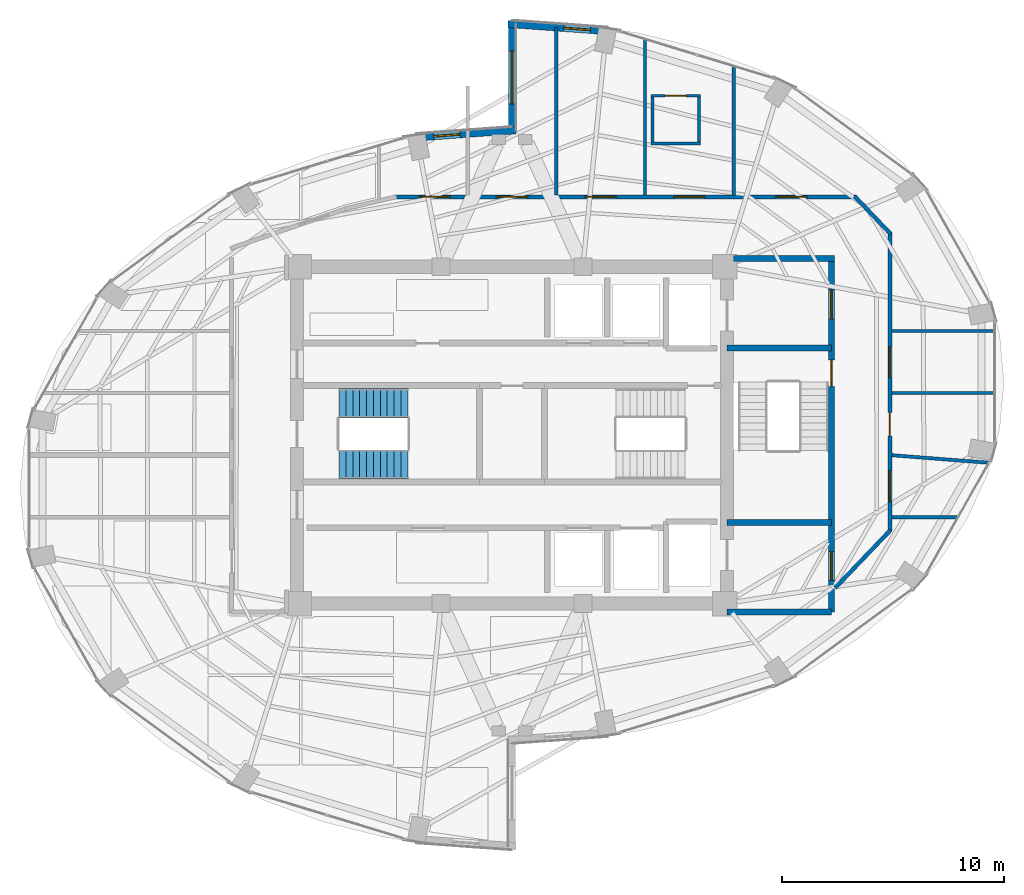
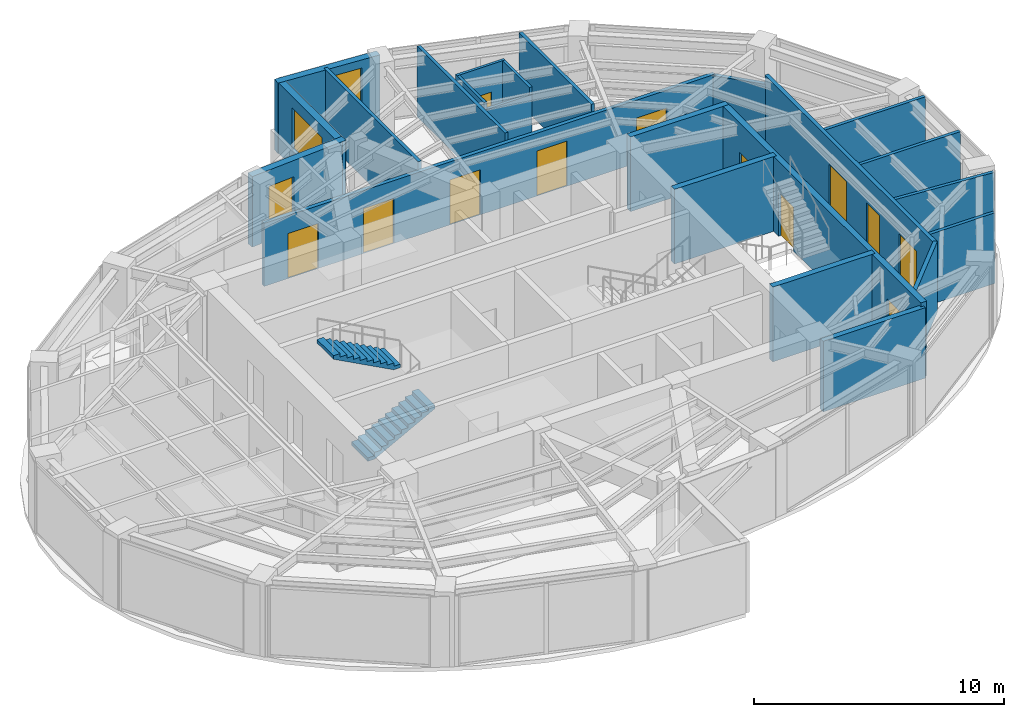
# One storey, part 20 of 23: 23 walls, 12 doors, 3 windows, 2 stair flights, 15 openings, 1 element without a shape of its own.
"""IFC4 building model written with IfcOpenShell, lengths in metres."""

from ifc_helpers import new_model, si_unit, direction, frame, frame_2d, origin, place, context, subcontext, project, spatial, polyline, rectangle, outline, extrude, material, layer, layer_set, type_object, element, fill, aggregate, save


model = new_model("IFC4")

# Units and contexts
model_context = context("Model", 3, precision=1e-05, world=origin(), true_north=direction((0.0, 1.0)))
body_context = subcontext(model_context, "Body", "Model", "MODEL_VIEW")
ifc_project = project(units=[si_unit("LENGTHUNIT", "METRE"), si_unit("AREAUNIT", "SQUARE_METRE"), si_unit("VOLUMEUNIT", "CUBIC_METRE"), si_unit("PLANEANGLEUNIT", "RADIAN"), si_unit("MASSUNIT", "GRAM", prefix="KILO")], contexts=[model_context])

# Site, building, storey
site_placement = place(None, origin())
site = spatial("IfcSite", under=ifc_project, at=site_placement, CompositionType="ELEMENT")
building_placement = place(site_placement, origin())
building = spatial("IfcBuilding", under=site, at=building_placement, Name="Lazwardi Medical Tower", CompositionType="ELEMENT")
storey_placement = place(building_placement, frame((0.0, 0.0, 198.47998046875)))
storey = spatial("IfcBuildingStorey", under=building, at=storey_placement, Name="L51", CompositionType="ELEMENT", Elevation=198.47998046875)

# Wall, openings, doors
ifc_material_1 = material(Name="Fire-rated gypsum board on steel stud", Category="steel")
ifc_layer_1 = layer(ifc_material_1, 0.179931640625)
ifc_layer_set_1 = layer_set([ifc_layer_1], Name="Fire-rated gypsum board on steel stud")
wall_type_1 = type_object("IfcWallType", Name="WL-COR-180", PredefinedType="PARTITIONING", material=ifc_layer_set_1)
wall_1_placement = place(storey_placement, frame((30.709716796875, 38.75, 0.0), z_axis=(0.0, 0.0, 1.0), x_axis=(1.0, 0.0, 0.0)))
wall_1 = element("IfcWall", 1, at=wall_1_placement, inside=storey, type_object=wall_type_1, Name="L51 Corridor partition 3", PredefinedType="PARTITIONING", context=body_context, shape_type="SweptSolid", body=[
    extrude(rectangle(XDim=20.8154296875, YDim=0.179931640625, at=frame_2d((10.40771484375, 0.0))), origin(), (0.0, 0.0, 1.0), 3.072998046875),
])
opening_1_placement = place(wall_1_placement, frame((17.19384765625, 0.0, 0.0)))
opening_1 = element("IfcOpeningElement", 2, at=opening_1_placement, cuts=wall_1, Name="Opening D-L51-014", PredefinedType="OPENING", context=body_context, shape_type="SweptSolid", body=[
    extrude(rectangle(XDim=1.39990234375, YDim=2.199951171875, at=frame_2d((0.699951171875, 1.10009765625))), frame((0.0, 0.099853515625, 0.0), z_axis=(0.0, -1.0, 0.0), x_axis=(1.0, 0.0, 0.0)), (0.0, 0.0, 1.0), 0.199951171875),
])
opening_2_placement = place(wall_1_placement, frame((12.590087890625, 0.0, 0.0)))
opening_2 = element("IfcOpeningElement", 3, at=opening_2_placement, cuts=wall_1, Name="Opening D-L51-015", PredefinedType="OPENING", context=body_context, shape_type="SweptSolid", body=[
    extrude(rectangle(XDim=1.39990234375, YDim=2.199951171875, at=frame_2d((0.699951171875, 1.10009765625))), frame((0.0, 0.099853515625, 0.0), z_axis=(0.0, -1.0, 0.0), x_axis=(1.0, 0.0, 0.0)), (0.0, 0.0, 1.0), 0.199951171875),
])
opening_3_placement = place(wall_1_placement, frame((8.590087890625, 0.0, 0.0)))
opening_3 = element("IfcOpeningElement", 4, at=opening_3_placement, cuts=wall_1, Name="Opening D-L51-016", PredefinedType="OPENING", context=body_context, shape_type="SweptSolid", body=[
    extrude(rectangle(XDim=1.39990234375, YDim=2.199951171875, at=frame_2d((0.699951171875, 1.10009765625))), frame((0.0, 0.099853515625, 0.0), z_axis=(0.0, -1.0, 0.0), x_axis=(1.0, 0.0, 0.0)), (0.0, 0.0, 1.0), 0.199951171875),
])
opening_4_placement = place(wall_1_placement, frame((4.590087890625, 0.0, 0.0)))
opening_4 = element("IfcOpeningElement", 5, at=opening_4_placement, cuts=wall_1, Name="Opening D-L51-017", PredefinedType="OPENING", context=body_context, shape_type="SweptSolid", body=[
    extrude(rectangle(XDim=1.39990234375, YDim=2.199951171875, at=frame_2d((0.699951171875, 1.10009765625))), frame((0.0, 0.099853515625, 0.0), z_axis=(0.0, -1.0, 0.0), x_axis=(1.0, 0.0, 0.0)), (0.0, 0.0, 1.0), 0.199951171875),
])
opening_5_placement = place(wall_1_placement, frame((1.10400390625, 0.0, 0.0)))
opening_5 = element("IfcOpeningElement", 6, at=opening_5_placement, cuts=wall_1, Name="Opening D-L51-018", PredefinedType="OPENING", context=body_context, shape_type="SweptSolid", body=[
    extrude(rectangle(XDim=1.39990234375, YDim=2.199951171875, at=frame_2d((0.699951171875, 1.10009765625))), frame((0.0, 0.099853515625, 0.0), z_axis=(0.0, -1.0, 0.0), x_axis=(1.0, 0.0, 0.0)), (0.0, 0.0, 1.0), 0.199951171875),
])
ifc_material_2 = material(Name="Anti-microbial laminate hospital leaf")
door_type_1 = type_object("IfcDoorType", Name="DR-BED-1400", OperationType="NOTDEFINED", PredefinedType="DOOR", material=ifc_material_2)
door_1_placement = place(opening_1_placement, origin())
door_1 = element("IfcDoor", 7, at=door_1_placement, inside=storey, type_object=door_type_1, Name="L51 Inpatient Ward Door 06", OperationType="SINGLE_SWING_RIGHT", OverallHeight=2.199951171875, OverallWidth=1.39990234375, PredefinedType="DOOR", context=body_context, shape_type="SweptSolid", body=[
    extrude(rectangle(XDim=1.39990234375, YDim=2.199951171875, at=frame_2d((0.699951171875, 1.10009765625))), frame((0.0, 0.02490234375, 0.0), z_axis=(0.0, -1.0, 0.0), x_axis=(1.0, 0.0, 0.0)), (0.0, 0.0, 1.0), 0.050048828125),
])
fill(opening_1, door_1)
door_2_placement = place(opening_2_placement, origin())
door_2 = element("IfcDoor", 8, at=door_2_placement, inside=storey, type_object=door_type_1, Name="L51 Patient Bedroom Door 07", OperationType="SINGLE_SWING_RIGHT", OverallHeight=2.199951171875, OverallWidth=1.39990234375, PredefinedType="DOOR", context=body_context, shape_type="SweptSolid", body=[
    extrude(rectangle(XDim=1.39990234375, YDim=2.199951171875, at=frame_2d((0.699951171875, 1.10009765625))), frame((0.0, 0.02490234375, 0.0), z_axis=(0.0, -1.0, 0.0), x_axis=(1.0, 0.0, 0.0)), (0.0, 0.0, 1.0), 0.050048828125),
])
fill(opening_2, door_2)
door_3_placement = place(opening_3_placement, origin())
door_3 = element("IfcDoor", 9, at=door_3_placement, inside=storey, type_object=door_type_1, Name="L51 Inpatient Ward Door 08", OperationType="SINGLE_SWING_LEFT", OverallHeight=2.199951171875, OverallWidth=1.39990234375, PredefinedType="DOOR", context=body_context, shape_type="SweptSolid", body=[
    extrude(rectangle(XDim=1.39990234375, YDim=2.199951171875, at=frame_2d((0.699951171875, 1.10009765625))), frame((0.0, 0.02490234375, 0.0), z_axis=(0.0, -1.0, 0.0), x_axis=(1.0, 0.0, 0.0)), (0.0, 0.0, 1.0), 0.050048828125),
])
fill(opening_3, door_3)
door_4_placement = place(opening_4_placement, origin())
door_4 = element("IfcDoor", 10, at=door_4_placement, inside=storey, type_object=door_type_1, Name="L51 Outpatient Clinic Door 09", OperationType="SINGLE_SWING_RIGHT", OverallHeight=2.199951171875, OverallWidth=1.39990234375, PredefinedType="DOOR", context=body_context, shape_type="SweptSolid", body=[
    extrude(rectangle(XDim=1.39990234375, YDim=2.199951171875, at=frame_2d((0.699951171875, 1.10009765625))), frame((0.0, 0.02490234375, 0.0), z_axis=(0.0, -1.0, 0.0), x_axis=(1.0, 0.0, 0.0)), (0.0, 0.0, 1.0), 0.050048828125),
])
fill(opening_4, door_4)
door_5_placement = place(opening_5_placement, origin())
door_5 = element("IfcDoor", 11, at=door_5_placement, inside=storey, type_object=door_type_1, Name="L51 Outpatient Clinic Door 10", OperationType="SINGLE_SWING_LEFT", OverallHeight=2.199951171875, OverallWidth=1.39990234375, PredefinedType="DOOR", context=body_context, shape_type="SweptSolid", body=[
    extrude(rectangle(XDim=1.39990234375, YDim=2.199951171875, at=frame_2d((0.699951171875, 1.10009765625))), frame((0.0, 0.02490234375, 0.0), z_axis=(0.0, -1.0, 0.0), x_axis=(1.0, 0.0, 0.0)), (0.0, 0.0, 1.0), 0.050048828125),
])
fill(opening_5, door_5)

# Wall
wall_2_placement = place(storey_placement, frame((51.45751953125, 38.77880859375, 0.0), z_axis=(0.0, 0.0, 1.0), x_axis=(0.691359830363, -0.722510612352, 0.0)))
element("IfcWall", 12, at=wall_2_placement, inside=storey, type_object=wall_type_1, Name="L51 Corridor partition 4", PredefinedType="PARTITIONING", context=body_context, shape_type="SweptSolid", body=[
    extrude(rectangle(XDim=2.34326171875, YDim=0.179931640625, at=frame_2d((1.171630859375, 0.0))), origin(), (0.0, 0.0, 1.0), 3.032958984375),
])

# Wall, openings, doors
wall_3_placement = place(storey_placement, frame((53.050048828125, 37.154541015625, 0.0), z_axis=(0.0, 0.0, 1.0), x_axis=(0.0, -1.0, 0.0)))
wall_3 = element("IfcWall", 13, at=wall_3_placement, inside=storey, type_object=wall_type_1, Name="L51 Corridor partition 5", PredefinedType="PARTITIONING", context=body_context, shape_type="SweptSolid", body=[
    extrude(rectangle(XDim=13.509033203125, YDim=0.179931640625, at=frame_2d((6.75439453125, 0.0))), origin(), (0.0, 0.0, 1.0), 3.447998046875),
])
opening_6_placement = place(wall_3_placement, frame((10.7578125, 0.0, 0.0)))
opening_6 = element("IfcOpeningElement", 14, at=opening_6_placement, cuts=wall_3, Name="Opening D-L51-011", PredefinedType="OPENING", context=body_context, shape_type="SweptSolid", body=[
    extrude(rectangle(XDim=1.39990234375, YDim=2.199951171875, at=frame_2d((0.699951171875, 1.10009765625))), frame((0.0, 0.099853515625, 0.0), z_axis=(0.0, -1.0, 0.0), x_axis=(1.0, 0.0, 0.0)), (0.0, 0.0, 1.0), 0.199951171875),
])
opening_7_placement = place(wall_3_placement, frame((8.132568359375, 0.0, 0.0)))
opening_7 = element("IfcOpeningElement", 15, at=opening_7_placement, cuts=wall_3, Name="Opening D-L51-012", PredefinedType="OPENING", context=body_context, shape_type="SweptSolid", body=[
    extrude(rectangle(XDim=1.050048828125, YDim=2.14990234375, at=frame_2d((0.52490234375, 1.074951171875))), frame((0.0, 0.099853515625, 0.0), z_axis=(0.0, -1.0, 0.0), x_axis=(1.0, 0.0, 0.0)), (0.0, 0.0, 1.0), 0.199951171875),
])
opening_8_placement = place(wall_3_placement, frame((5.154541015625, 0.0, 0.0)))
opening_8 = element("IfcOpeningElement", 16, at=opening_8_placement, cuts=wall_3, Name="Opening D-L51-013", PredefinedType="OPENING", context=body_context, shape_type="SweptSolid", body=[
    extrude(rectangle(XDim=1.39990234375, YDim=2.199951171875, at=frame_2d((0.699951171875, 1.10009765625))), frame((0.0, 0.099853515625, 0.0), z_axis=(0.0, -1.0, 0.0), x_axis=(1.0, 0.0, 0.0)), (0.0, 0.0, 1.0), 0.199951171875),
])
door_6_placement = place(opening_6_placement, origin())
door_6 = element("IfcDoor", 17, at=door_6_placement, inside=storey, type_object=door_type_1, Name="L51 Patient Day Lounge Door 03", OperationType="SINGLE_SWING_LEFT", OverallHeight=2.199951171875, OverallWidth=1.39990234375, PredefinedType="DOOR", context=body_context, shape_type="SweptSolid", body=[
    extrude(rectangle(XDim=1.39990234375, YDim=2.199951171875, at=frame_2d((0.699951171875, 1.10009765625))), frame((0.0, 0.02490234375, 0.0), z_axis=(0.0, -1.0, 0.0), x_axis=(1.0, 0.0, 0.0)), (0.0, 0.0, 1.0), 0.050048828125),
])
fill(opening_6, door_6)
door_7_placement = place(opening_8_placement, origin())
door_7 = element("IfcDoor", 18, at=door_7_placement, inside=storey, type_object=door_type_1, Name="L51 Outpatient Clinic Door 05", OperationType="SINGLE_SWING_LEFT", OverallHeight=2.199951171875, OverallWidth=1.39990234375, PredefinedType="DOOR", context=body_context, shape_type="SweptSolid", body=[
    extrude(rectangle(XDim=1.39990234375, YDim=2.199951171875, at=frame_2d((0.699951171875, 1.10009765625))), frame((0.0, 0.02490234375, 0.0), z_axis=(0.0, -1.0, 0.0), x_axis=(1.0, 0.0, 0.0)), (0.0, 0.0, 1.0), 0.050048828125),
])
fill(opening_8, door_7)
door_type_2 = type_object("IfcDoorType", Name="DR-CLN-1050", OperationType="NOTDEFINED", PredefinedType="DOOR", material=ifc_material_2)
door_8_placement = place(opening_7_placement, origin())
door_8 = element("IfcDoor", 19, at=door_8_placement, inside=storey, type_object=door_type_2, Name="L51 Ward Dietetic Pantry Door 04", OperationType="SINGLE_SWING_RIGHT", OverallHeight=2.14990234375, OverallWidth=1.050048828125, PredefinedType="DOOR", context=body_context, shape_type="SweptSolid", body=[
    extrude(rectangle(XDim=1.050048828125, YDim=2.14990234375, at=frame_2d((0.52490234375, 1.074951171875))), frame((0.0, 0.02490234375, 0.0), z_axis=(0.0, -1.0, 0.0), x_axis=(1.0, 0.0, 0.0)), (0.0, 0.0, 1.0), 0.050048828125),
])
fill(opening_7, door_8)

# Wall
wall_4_placement = place(storey_placement, frame((53.07763671875, 23.71435546875, 0.0), z_axis=(0.0, 0.0, 1.0), x_axis=(-0.691353379446, -0.722516785085, 0.0)))
element("IfcWall", 20, at=wall_4_placement, inside=storey, type_object=wall_type_1, Name="L51 Corridor partition 6", PredefinedType="PARTITIONING", context=body_context, shape_type="SweptSolid", body=[
    extrude(rectangle(XDim=3.603759765625, YDim=0.179931640625, at=frame_2d((1.8017578125, 0.0))), origin(), (0.0, 0.0, 1.0), 3.447998046875),
])

# Wall, opening, door
ifc_material_3 = material(Name="Moisture-resistant gypsum board partition")
ifc_layer_2 = layer(ifc_material_3, 0.125)
ifc_layer_set_2 = layer_set([ifc_layer_2], Name="Moisture-resistant gypsum board partition")
wall_type_2 = type_object("IfcWallType", Name="WL-ENS-125", PredefinedType="PARTITIONING", material=ifc_layer_set_2)
wall_5_placement = place(storey_placement, frame((42.27490234375, 43.3193359375, 0.0), z_axis=(0.0, 0.0, 1.0), x_axis=(1.0, 0.0, 0.0)))
wall_5 = element("IfcWall", 21, at=wall_5_placement, inside=storey, type_object=wall_type_2, Name="L51 En-suite wall 7N", PredefinedType="PARTITIONING", context=body_context, shape_type="SweptSolid", body=[
    extrude(rectangle(XDim=2.22021484375, YDim=0.125, at=frame_2d((1.110107421875, 0.0))), origin(), (0.0, 0.0, 1.0), 3.447998046875),
])
opening_9_placement = place(wall_5_placement, frame((0.635009765625, 0.0, 0.0)))
opening_9 = element("IfcOpeningElement", 22, at=opening_9_placement, cuts=wall_5, Name="Opening D-L51-002", PredefinedType="OPENING", context=body_context, shape_type="SweptSolid", body=[
    extrude(rectangle(XDim=0.949951171875, YDim=2.10009765625, at=frame_2d((0.47509765625, 1.050048828125))), frame((0.0, 0.072509765625, 0.0), z_axis=(0.0, -1.0, 0.0), x_axis=(1.0, 0.0, 0.0)), (0.0, 0.0, 1.0), 0.14501953125),
])
ifc_material_4 = material(Name="Moisture-resistant laminate door leaf")
door_type_3 = type_object("IfcDoorType", Name="DR-ENS-950", OperationType="NOTDEFINED", PredefinedType="DOOR", material=ifc_material_4)
door_9_placement = place(opening_9_placement, origin())
door_9 = element("IfcDoor", 23, at=door_9_placement, inside=storey, type_object=door_type_3, Name="L51 En-suite Door 07", OperationType="SINGLE_SWING_LEFT", OverallHeight=2.10009765625, OverallWidth=0.949951171875, PredefinedType="DOOR", context=body_context, shape_type="SweptSolid", body=[
    extrude(rectangle(XDim=0.949951171875, YDim=2.10009765625, at=frame_2d((0.47509765625, 1.050048828125))), frame((0.0, 0.02490234375, 0.0), z_axis=(0.0, -1.0, 0.0), x_axis=(1.0, 0.0, 0.0)), (0.0, 0.0, 1.0), 0.050048828125),
])
fill(opening_9, door_9)

# Walls
wall_6_placement = place(storey_placement, frame((42.27490234375, 41.159423828125, 0.0), z_axis=(0.0, 0.0, 1.0), x_axis=(1.0, 0.0, 0.0)))
element("IfcWall", 24, at=wall_6_placement, inside=storey, type_object=wall_type_2, Name="L51 En-suite wall 7S", PredefinedType="PARTITIONING", context=body_context, shape_type="SweptSolid", body=[
    extrude(rectangle(XDim=2.22021484375, YDim=0.125, at=frame_2d((1.110107421875, 0.0))), origin(), (0.0, 0.0, 1.0), 3.072998046875),
])
for number, where, z_axis, x_axis, name in (
    (25, (44.43505859375, 41.099365234375, 0.0), (0.0, 0.0, 1.0), (0.0, 1.0, 0.0), "L51 En-suite wall 7E"),
    (26, (42.3349609375, 41.099365234375, 0.0), (0.0, 0.0, 1.0), (0.0, 1.0, 0.0), "L51 En-suite wall 7W"),
):
    element("IfcWall", number, at=place(storey_placement, frame(where, z_axis=z_axis, x_axis=x_axis)), inside=storey, type_object=wall_type_2, Name=name, PredefinedType="PARTITIONING", context=body_context, shape_type="SweptSolid", body=[
        extrude(rectangle(XDim=2.280029296875, YDim=0.125, at=frame_2d((1.14013671875, 0.0))), origin(), (0.0, 0.0, 1.0), 3.447998046875),
    ])

# Wall, opening, window
ifc_material_5 = material(Name="Precast concrete C45/55", Category="concrete")
ifc_layer_3 = layer(ifc_material_5, 0.320068359375)
ifc_layer_set_3 = layer_set([ifc_layer_3], Name="Precast concrete C45/55")
wall_type_3 = type_object("IfcWallType", Name="WL-IWAN-320", PredefinedType="SOLIDWALL", material=ifc_layer_set_3)
wall_7_placement = place(storey_placement, frame((40.349609375, 46.226318359375, 0.0), z_axis=(0.0, 0.0, 1.0), x_axis=(-0.997409061056, 0.071938619141, 0.0)))
wall_7 = element("IfcWall", 27, at=wall_7_placement, inside=storey, type_object=wall_type_3, Name="L51 Iwan Portal Return Wall NE_ret", PredefinedType="SOLIDWALL", context=body_context, shape_type="SweptSolid", body=[
    extrude(rectangle(XDim=4.540771484375, YDim=0.320068359375, at=frame_2d((2.2705078125, 0.0))), origin(), (0.0, 0.0, 1.0), 3.447998046875),
])
opening_10_placement = place(wall_7_placement, frame((0.814697265625, 0.0, 0.85009765625)))
opening_10 = element("IfcOpeningElement", 28, at=opening_10_placement, cuts=wall_7, Name="Opening WN-01", PredefinedType="OPENING", context=body_context, shape_type="SweptSolid", body=[
    extrude(rectangle(XDim=1.199951171875, YDim=2.199951171875, at=frame_2d((0.60009765625, 1.10009765625))), frame((0.0, 0.169921875, 0.0), z_axis=(0.0, -1.0, 0.0), x_axis=(1.0, 0.0, 0.0)), (0.0, 0.0, 1.0), 0.340087890625),
])
ifc_material_6 = material(Name="Low-e bronze solar control double glazing", Category="glass")
window_type_1 = type_object("IfcWindowType", Name="WIN-IW-1200", PartitioningType="SINGLE_PANEL", PredefinedType="WINDOW", material=ifc_material_6)
window_1_placement = place(opening_10_placement, origin())
window_1 = element("IfcWindow", 29, at=window_1_placement, inside=storey, type_object=window_type_1, Name="L51 Iwan Slot Window NE_ret", OverallHeight=2.199951171875, OverallWidth=1.199951171875, PartitioningType="SINGLE_PANEL", PredefinedType="WINDOW", context=body_context, shape_type="SweptSolid", body=[
    extrude(rectangle(XDim=1.199951171875, YDim=2.199951171875, at=frame_2d((0.60009765625, 1.10009765625))), frame((0.0, 0.030029296875, 0.0), z_axis=(0.0, -1.0, 0.0), x_axis=(1.0, 0.0, 0.0)), (0.0, 0.0, 1.0), 0.06005859375),
])
fill(opening_10, window_1)

wall_8_placement = place(storey_placement, frame((36.17919921875, 41.7529296875, 0.0), z_axis=(0.0, 0.0, 1.0), x_axis=(-0.997408782787, -0.071942477163, 0.0)))
wall_8 = element("IfcWall", 30, at=wall_8_placement, inside=storey, type_object=wall_type_3, Name="L51 Iwan Portal Return Wall NW_ret", PredefinedType="SOLIDWALL", context=body_context, shape_type="SweptSolid", body=[
    extrude(rectangle(XDim=4.54052734375, YDim=0.320068359375, at=frame_2d((2.270263671875, 0.0))), origin(), (0.0, 0.0, 1.0), 3.447998046875),
])
opening_11_placement = place(wall_8_placement, frame((2.52587890625, 0.0, 0.85009765625)))
opening_11 = element("IfcOpeningElement", 31, at=opening_11_placement, cuts=wall_8, Name="Opening WN-04", PredefinedType="OPENING", context=body_context, shape_type="SweptSolid", body=[
    extrude(rectangle(XDim=1.199951171875, YDim=1.800048828125, at=frame_2d((0.60009765625, 0.89990234375))), frame((0.0, 0.169921875, 0.0), z_axis=(0.0, -1.0, 0.0), x_axis=(1.0, 0.0, 0.0)), (0.0, 0.0, 1.0), 0.340087890625),
])
window_type_2 = type_object("IfcWindowType", Name="WIN-DRUM-1200", PartitioningType="SINGLE_PANEL", PredefinedType="WINDOW", material=ifc_material_6)
window_2_placement = place(opening_11_placement, origin())
window_2 = element("IfcWindow", 32, at=window_2_placement, inside=storey, type_object=window_type_2, Name="L51 Iwan Slot Window NW_ret", OverallHeight=1.800048828125, OverallWidth=1.199951171875, PartitioningType="SINGLE_PANEL", PredefinedType="WINDOW", context=body_context, shape_type="SweptSolid", body=[
    extrude(rectangle(XDim=1.199951171875, YDim=1.800048828125, at=frame_2d((0.60009765625, 0.89990234375))), frame((0.0, 0.030029296875, 0.0), z_axis=(0.0, -1.0, 0.0), x_axis=(1.0, 0.0, 0.0)), (0.0, 0.0, 1.0), 0.06005859375),
])
fill(opening_11, window_2)

wall_9_placement = place(storey_placement, frame((36.0, 46.699951171875, 0.0), z_axis=(0.0, 0.0, 1.0), x_axis=(0.0, -1.0, 0.0)))
wall_9 = element("IfcWall", 33, at=wall_9_placement, inside=storey, type_object=wall_type_3, Name="L51 Turquoise Tilework Iwan Seam Wall N_seam", PredefinedType="SOLIDWALL", context=body_context, shape_type="SweptSolid", body=[
    extrude(rectangle(XDim=5.119873046875, YDim=0.320068359375, at=frame_2d((2.56005859375, 0.0))), origin(), (0.0, 0.0, 1.0), 3.447998046875),
])
opening_12_placement = place(wall_9_placement, frame((1.360107421875, 0.0, 0.840087890625)))
opening_12 = element("IfcOpeningElement", 34, at=opening_12_placement, cuts=wall_9, Name="Opening WN-02", PredefinedType="OPENING", context=body_context, shape_type="SweptSolid", body=[
    extrude(rectangle(XDim=2.39990234375, YDim=2.0400390625, at=frame_2d((1.199951171875, 1.02001953125))), frame((0.0, 0.169921875, 0.0), z_axis=(0.0, -1.0, 0.0), x_axis=(1.0, 0.0, 0.0)), (0.0, 0.0, 1.0), 0.340087890625),
])
window_type_3 = type_object("IfcWindowType", Name="WIN-IW-2400", PartitioningType="SINGLE_PANEL", PredefinedType="WINDOW", material=ifc_material_6)
window_3_placement = place(opening_12_placement, origin())
window_3 = element("IfcWindow", 35, at=window_3_placement, inside=storey, type_object=window_type_3, Name="L51 Iwan Seam Window N_seam", OverallHeight=2.0400390625, OverallWidth=2.39990234375, PartitioningType="SINGLE_PANEL", PredefinedType="WINDOW", context=body_context, shape_type="SweptSolid", body=[
    extrude(rectangle(XDim=2.39990234375, YDim=2.0400390625, at=frame_2d((1.199951171875, 1.02001953125))), frame((0.0, 0.030029296875, 0.0), z_axis=(0.0, -1.0, 0.0), x_axis=(1.0, 0.0, 0.0)), (0.0, 0.0, 1.0), 0.06005859375),
])
fill(opening_12, window_3)

# Wall
ifc_material_7 = material(Name="Autoclaved aerated concrete blockwork", Category="masonry")
ifc_layer_4 = layer(ifc_material_7, 0.25)
ifc_layer_set_4 = layer_set([ifc_layer_4], Name="Autoclaved aerated concrete blockwork")
wall_type_4 = type_object("IfcWallType", Name="WL-SHAFT-250", PredefinedType="SOLIDWALL", material=ifc_layer_set_4)
wall_10_placement = place(storey_placement, frame((45.699951171875, 20.02001953125, 0.0), z_axis=(0.0, 0.0, 1.0), x_axis=(1.0, 0.0, 0.0)))
element("IfcWall", 36, at=wall_10_placement, inside=storey, type_object=wall_type_4, Name="L51 FFL-S South wall", PredefinedType="SOLIDWALL", context=body_context, shape_type="SweptSolid", body=[
    extrude(rectangle(XDim=4.715087890625, YDim=0.25, at=frame_2d((2.357421875, 0.0))), origin(), (0.0, 0.0, 1.0), 3.447998046875),
])

# Wall, openings, doors
ifc_material_8 = material(Name="Concrete C50/60", Category="concrete")
ifc_layer_5 = layer(ifc_material_8, 0.27001953125)
ifc_layer_set_5 = layer_set([ifc_layer_5], Name="Concrete C50/60")
wall_type_5 = type_object("IfcWallType", Name="WL-STR-250", PredefinedType="SHEAR", material=ifc_layer_set_5)
wall_11_placement = place(storey_placement, frame((50.4150390625, 35.844970703125, 0.0), z_axis=(0.0, 0.0, 1.0), x_axis=(0.0, -1.0, 0.0)))
wall_11 = element("IfcWall", 37, at=wall_11_placement, inside=storey, type_object=wall_type_5, Name="L51 East ST3 & FFL shear wall SW-S1", PredefinedType="SHEAR", context=body_context, shape_type="SweptSolid", body=[
    extrude(rectangle(XDim=15.824951171875, YDim=0.27001953125, at=frame_2d((7.91259765625, 0.0))), origin(), (0.0, 0.0, 1.0), 3.64794921875),
])
opening_13_placement = place(wall_11_placement, frame((4.445068359375, 0.0, 0.0)))
opening_13 = element("IfcOpeningElement", 38, at=opening_13_placement, cuts=wall_11, Name="Opening D-L51-024", PredefinedType="OPENING", context=body_context, shape_type="SweptSolid", body=[
    extrude(rectangle(XDim=1.199951171875, YDim=2.14990234375, at=frame_2d((0.60009765625, 1.074951171875))), frame((0.0, 0.14501953125, 0.0), z_axis=(0.0, -1.0, 0.0), x_axis=(1.0, 0.0, 0.0)), (0.0, 0.0, 1.0), 0.2900390625),
])
opening_14_placement = place(wall_11_placement, frame((1.294921875, 0.0, 0.0)))
opening_14 = element("IfcOpeningElement", 39, at=opening_14_placement, cuts=wall_11, Name="Opening D-L51-005", PredefinedType="OPENING", context=body_context, shape_type="SweptSolid", body=[
    extrude(rectangle(XDim=1.300048828125, YDim=2.199951171875, at=frame_2d((0.64990234375, 1.10009765625))), frame((0.0, 0.14501953125, 0.0), z_axis=(0.0, -1.0, 0.0), x_axis=(1.0, 0.0, 0.0)), (0.0, 0.0, 1.0), 0.2900390625),
])
opening_15_placement = place(wall_11_placement, frame((13.094970703125, 0.0, 0.0)))
opening_15 = element("IfcOpeningElement", 40, at=opening_15_placement, cuts=wall_11, Name="Opening D-L51-006", PredefinedType="OPENING", context=body_context, shape_type="SweptSolid", body=[
    extrude(rectangle(XDim=1.300048828125, YDim=2.199951171875, at=frame_2d((0.64990234375, 1.10009765625))), frame((0.0, 0.14501953125, 0.0), z_axis=(0.0, -1.0, 0.0), x_axis=(1.0, 0.0, 0.0)), (0.0, 0.0, 1.0), 0.2900390625),
])
ifc_material_9 = material(Name="Fire-rated steel leaf and frame", Category="steel")
door_type_4 = type_object("IfcDoorType", Name="DR-FFL-1300", OperationType="NOTDEFINED", PredefinedType="DOOR", material=ifc_material_9)
door_10_placement = place(opening_14_placement, origin())
door_10 = element("IfcDoor", 41, at=door_10_placement, inside=storey, type_object=door_type_4, Name="L51 Fire-Fighting Lobby North Door", OperationType="SINGLE_SWING_LEFT", OverallHeight=2.199951171875, OverallWidth=1.300048828125, PredefinedType="DOOR", context=body_context, shape_type="SweptSolid", body=[
    extrude(rectangle(XDim=1.300048828125, YDim=2.199951171875, at=frame_2d((0.64990234375, 1.10009765625))), frame((0.0, 0.02490234375, 0.0), z_axis=(0.0, -1.0, 0.0), x_axis=(1.0, 0.0, 0.0)), (0.0, 0.0, 1.0), 0.050048828125),
])
fill(opening_14, door_10)
door_11_placement = place(opening_15_placement, origin())
door_11 = element("IfcDoor", 42, at=door_11_placement, inside=storey, type_object=door_type_4, Name="L51 Fire-Fighting Lobby South Door", OperationType="SINGLE_SWING_RIGHT", OverallHeight=2.199951171875, OverallWidth=1.300048828125, PredefinedType="DOOR", context=body_context, shape_type="SweptSolid", body=[
    extrude(rectangle(XDim=1.300048828125, YDim=2.199951171875, at=frame_2d((0.64990234375, 1.10009765625))), frame((0.0, 0.02490234375, 0.0), z_axis=(0.0, -1.0, 0.0), x_axis=(1.0, 0.0, 0.0)), (0.0, 0.0, 1.0), 0.050048828125),
])
fill(opening_15, door_11)
door_type_5 = type_object("IfcDoorType", Name="DR-STR-1200", OperationType="NOTDEFINED", PredefinedType="DOOR", material=ifc_material_9)
door_12_placement = place(opening_13_placement, origin())
door_12 = element("IfcDoor", 43, at=door_12_placement, inside=storey, type_object=door_type_5, Name="L51 Exit Stair ST3 Door", OperationType="SINGLE_SWING_RIGHT", OverallHeight=2.14990234375, OverallWidth=1.199951171875, PredefinedType="DOOR", context=body_context, shape_type="SweptSolid", body=[
    extrude(rectangle(XDim=1.199951171875, YDim=2.14990234375, at=frame_2d((0.60009765625, 1.074951171875))), frame((0.0, 0.02490234375, 0.0), z_axis=(0.0, -1.0, 0.0), x_axis=(1.0, 0.0, 0.0)), (0.0, 0.0, 1.0), 0.050048828125),
])
fill(opening_13, door_12)

# Walls
wall_12_placement = place(storey_placement, frame((46.0, 35.97998046875, 0.0), z_axis=(0.0, 0.0, 1.0), x_axis=(1.0, 0.0, 0.0)))
element("IfcWall", 44, at=wall_12_placement, inside=storey, type_object=wall_type_5, Name="L51 FFL-N North shear wall SW-S1", PredefinedType="SHEAR", context=body_context, shape_type="SweptSolid", body=[
    extrude(rectangle(XDim=4.550048828125, YDim=0.27001953125, at=frame_2d((2.27490234375, 0.0))), origin(), (0.0, 0.0, 1.0), 3.64794921875),
])
for number, where, z_axis, x_axis, name in (
    (45, (45.699951171875, 31.93505859375, 0.0), (0.0, 0.0, 1.0), (1.0, 0.0, 0.0), "L51 ST3 North shear shaft wall SW-S1"),
    (46, (45.699951171875, 24.06494140625, 0.0), (0.0, 0.0, 1.0), (1.0, 0.0, 0.0), "L51 ST3 South shear shaft wall SW-S1"),
):
    element("IfcWall", number, at=place(storey_placement, frame(where, z_axis=z_axis, x_axis=x_axis)), inside=storey, type_object=wall_type_5, Name=name, PredefinedType="SHEAR", context=body_context, shape_type="SweptSolid", body=[
        extrude(rectangle(XDim=4.715087890625, YDim=0.27001953125, at=frame_2d((2.357421875, 0.0))), origin(), (0.0, 0.0, 1.0), 3.64794921875),
    ])
ifc_material_10 = material(Name="Acoustic gypsum board partition")
ifc_layer_6 = layer(ifc_material_10, 0.14990234375)
ifc_layer_set_6 = layer_set([ifc_layer_6], Name="Acoustic gypsum board partition")
wall_type_6 = type_object("IfcWallType", Name="WL-WRD-150", PredefinedType="PARTITIONING", material=ifc_layer_set_6)
wall_13_placement = place(storey_placement, frame((53.139892578125, 24.300048828125, 0.0), z_axis=(0.0, 0.0, 1.0), x_axis=(1.0, 0.0, 0.0)))
element("IfcWall", 47, at=wall_13_placement, inside=storey, type_object=wall_type_6, Name="L51 Room partition 5", PredefinedType="PARTITIONING", context=body_context, shape_type="SweptSolid", body=[
    extrude(rectangle(XDim=2.982177734375, YDim=0.14990234375, at=frame_2d((1.4912109375, 0.0))), origin(), (0.0, 0.0, 1.0), 3.447998046875),
])
wall_14_placement = place(storey_placement, frame((53.139892578125, 27.09423828125, 0.0), z_axis=(0.0, 0.0, 1.0), x_axis=(0.996990775312, -0.077520280847, 0.0)))
element("IfcWall", 48, at=wall_14_placement, inside=storey, type_object=wall_type_6, Name="L51 Room partition 6", PredefinedType="PARTITIONING", context=body_context, shape_type="SweptSolid", body=[
    extrude(rectangle(XDim=4.396484375, YDim=0.14990234375, at=frame_2d((2.1982421875, 0.0))), origin(), (0.0, 0.0, 1.0), 3.447998046875),
])
for number, where, z_axis, x_axis, name in (
    (49, (53.139892578125, 29.89990234375, 0.0), (0.0, 0.0, 1.0), (1.0, 0.0, 0.0), "L51 Room partition 7"),
    (50, (53.139892578125, 32.699951171875, 0.0), (0.0, 0.0, 1.0), (1.0, 0.0, 0.0), "L51 Room partition 8"),
):
    element("IfcWall", number, at=place(storey_placement, frame(where, z_axis=z_axis, x_axis=x_axis)), inside=storey, type_object=wall_type_6, Name=name, PredefinedType="PARTITIONING", context=body_context, shape_type="SweptSolid", body=[
        extrude(rectangle(XDim=4.6318359375, YDim=0.14990234375, at=frame_2d((2.31591796875, 0.0))), origin(), (0.0, 0.0, 1.0), 3.447998046875),
    ])
wall_15_placement = place(storey_placement, frame((38.0, 38.840087890625, 0.0), z_axis=(0.0, 0.0, 1.0), x_axis=(0.0, 1.0, 0.0)))
element("IfcWall", 51, at=wall_15_placement, inside=storey, type_object=wall_type_6, Name="L51 Room partition 11", PredefinedType="PARTITIONING", context=body_context, shape_type="SweptSolid", body=[
    extrude(rectangle(XDim=7.543212890625, YDim=0.14990234375, at=frame_2d((3.771484375, 0.0))), origin(), (0.0, 0.0, 1.0), 3.447998046875),
])
wall_16_placement = place(storey_placement, frame((42.0, 38.840087890625, 0.0), z_axis=(0.0, 0.0, 1.0), x_axis=(0.0, 1.0, 0.0)))
element("IfcWall", 52, at=wall_16_placement, inside=storey, type_object=wall_type_6, Name="L51 Room partition 12", PredefinedType="PARTITIONING", context=body_context, shape_type="SweptSolid", body=[
    extrude(rectangle(XDim=7.0078125, YDim=0.14990234375, at=frame_2d((3.50390625, 0.0))), origin(), (0.0, 0.0, 1.0), 3.447998046875),
])
wall_17_placement = place(storey_placement, frame((46.0, 38.840087890625, 0.0), z_axis=(0.0, 0.0, 1.0), x_axis=(0.0, 1.0, 0.0)))
element("IfcWall", 53, at=wall_17_placement, inside=storey, type_object=wall_type_6, Name="L51 Room partition 13", PredefinedType="PARTITIONING", context=body_context, shape_type="SweptSolid", body=[
    extrude(rectangle(XDim=5.793212890625, YDim=0.14990234375, at=frame_2d((2.896484375, 0.0))), origin(), (0.0, 0.0, 1.0), 3.447998046875),
])

# Stair, stair flights
ifc_material_11 = material(Name="Concrete C45/55", Category="concrete")
stair_type = type_object("IfcStairType", Name="STR-WRD", PredefinedType="HALF_TURN_STAIR", material=ifc_material_11)
stair_placement = place(storey_placement, origin())
stair = element("IfcStair", 54, at=stair_placement, inside=storey, type_object=stair_type, Name="L51 Protected Exit Stair ST1", PredefinedType="HALF_TURN_STAIR")
stair_flight_type = type_object("IfcStairFlightType", Name="FLT-WRD", PredefinedType="STRAIGHT", material=ifc_material_11)
stair_flight_1_placement = place(storey_placement, frame((28.199951171875, 26.679931640625, 0.0), z_axis=(0.0, 0.0, 1.0), x_axis=(1.0, 0.0, 0.0)))
stair_flight_1 = element("IfcStairFlight", 55, at=stair_flight_1_placement, type_object=stair_flight_type, Name="ST1 flight 1", NumberOfRisers=11, NumberOfTreads=10, PredefinedType="STRAIGHT", RiserHeight=0.165818182, TreadLength=0.31, context=body_context, shape_type="SweptSolid", body=[
    extrude(outline(polyline([(0.0, 0.0), (0.0, 0.165771484375), (0.31005859375, 0.165771484375), (0.31005859375, 0.33154296875), (0.6201171875, 0.33154296875), (0.6201171875, 0.49755859375), (0.929931640625, 0.49755859375), (0.929931640625, 0.663330078125), (1.239990234375, 0.663330078125), (1.239990234375, 0.8291015625), (1.550048828125, 0.8291015625), (1.550048828125, 0.994873046875), (1.860107421875, 0.994873046875), (1.860107421875, 1.16064453125), (2.169921875, 1.16064453125), (2.169921875, 1.32666015625), (2.47998046875, 1.32666015625), (2.47998046875, 1.492431640625), (2.7900390625, 1.492431640625), (2.7900390625, 1.658203125), (3.10009765625, 1.658203125), (3.10009765625, 1.823974609375), (3.10009765625, 1.48828125), (0.31787109375, 0.0), (0.0, 0.0)])), frame((0.0, 0.66015625, 0.0), z_axis=(0.0, -1.0, 0.0), x_axis=(1.0, 0.0, 0.0)), (0.0, 0.0, 1.0), 1.320068359375),
])
stair_flight_2_placement = place(storey_placement, frame((31.300048828125, 29.43994140625, 1.823974609375), z_axis=(0.0, 0.0, 1.0), x_axis=(-1.0, 0.0, 0.0)))
stair_flight_2 = element("IfcStairFlight", 56, at=stair_flight_2_placement, type_object=stair_flight_type, Name="ST1 flight 2", NumberOfRisers=11, NumberOfTreads=10, PredefinedType="STRAIGHT", RiserHeight=0.165818182, TreadLength=0.31, context=body_context, shape_type="SweptSolid", body=[
    extrude(outline(polyline([(0.0, 0.0), (0.0, 0.165771484375), (0.31005859375, 0.165771484375), (0.31005859375, 0.33154296875), (0.6201171875, 0.33154296875), (0.6201171875, 0.49755859375), (0.929931640625, 0.49755859375), (0.929931640625, 0.663330078125), (1.239990234375, 0.663330078125), (1.239990234375, 0.8291015625), (1.550048828125, 0.8291015625), (1.550048828125, 0.994873046875), (1.860107421875, 0.994873046875), (1.860107421875, 1.16064453125), (2.169921875, 1.16064453125), (2.169921875, 1.32666015625), (2.47998046875, 1.32666015625), (2.47998046875, 1.492431640625), (2.7900390625, 1.492431640625), (2.7900390625, 1.658203125), (3.10009765625, 1.658203125), (3.10009765625, 1.823974609375), (3.10009765625, 1.48828125), (0.31787109375, 0.0), (0.0, 0.0)])), frame((0.0, 0.66015625, 0.0), z_axis=(0.0, -1.0, 0.0), x_axis=(1.0, 0.0, 0.0)), (0.0, 0.0, 1.0), 1.320068359375),
])
aggregate(stair, [stair_flight_1, stair_flight_2])

save(model, "model.ifc")
